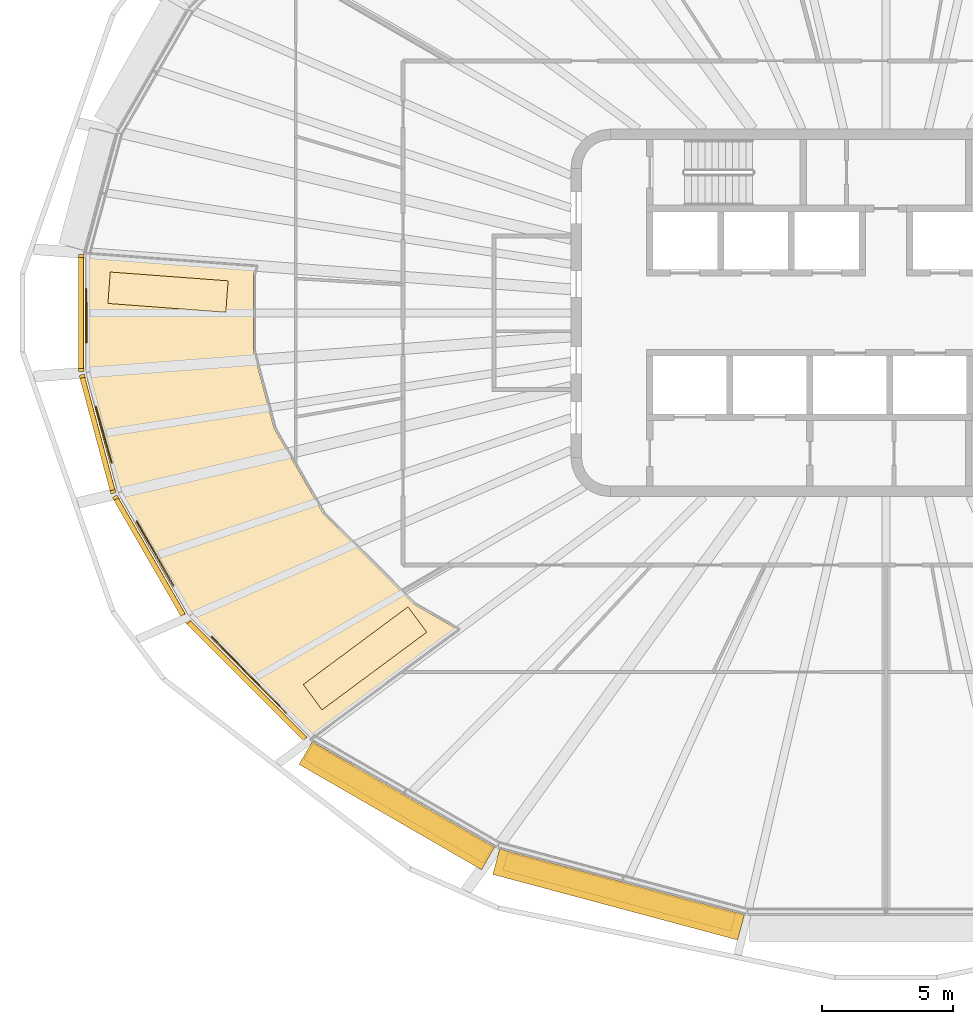
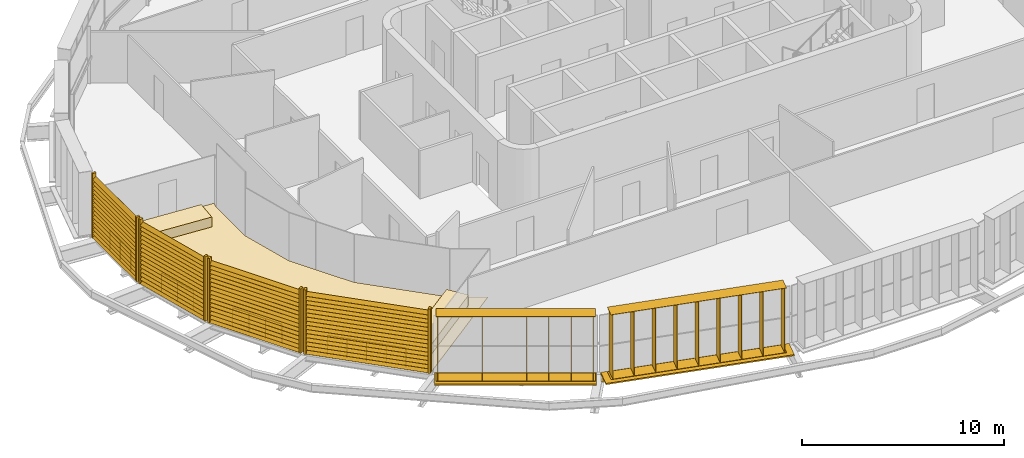
# One storey, part 16 of 20: 8 shading devices, 4 railings, 3 coverings.
"""IFC4 building model written with IfcOpenShell, lengths in metres."""

from ifc_helpers import new_model, si_unit, direction, frame, origin, origin_2d, place, context, subcontext, project, spatial, polyline, rectangle, circle, outline, extrude, material, layer, layer_set, type_object, element, save


model = new_model("IFC4")

# Units and contexts
model_context = context("Model", 3, precision=1e-05, world=origin(), true_north=direction((0.0, 1.0)))
body_context = subcontext(model_context, "Body", "Model", "MODEL_VIEW")
ifc_project = project(units=[si_unit("LENGTHUNIT", "METRE"), si_unit("AREAUNIT", "SQUARE_METRE"), si_unit("VOLUMEUNIT", "CUBIC_METRE"), si_unit("PLANEANGLEUNIT", "RADIAN"), si_unit("MASSUNIT", "GRAM", prefix="KILO")], contexts=[model_context])

# Site, building, storey
site_placement = place(None, origin())
site = spatial("IfcSite", under=ifc_project, at=site_placement, CompositionType="ELEMENT")
building_placement = place(site_placement, origin())
building = spatial("IfcBuilding", under=site, at=building_placement, Name="Sahrelin Media Tower", CompositionType="ELEMENT")
storey_placement = place(building_placement, frame((0.0, 0.0, 221.60009765625)))
storey = spatial("IfcBuildingStorey", under=building, at=storey_placement, Name="L47", CompositionType="ELEMENT", Elevation=221.60009765625)

# Shading devices
ifc_material_1 = material(Name="Champagne anodised aluminium 6063-T6", Category="aluminium")
shading_device_type_1 = type_object("IfcShadingDeviceType", Name="Fin cassette", PredefinedType="USERDEFINED", material=ifc_material_1)
placement_1 = place(storey_placement, frame((-18.36962890625, -18.319091796875, 0.0), z_axis=(0.0, 0.0, 1.0), x_axis=(-0.866019052629, 0.500011000363, 0.0)))
element("IfcShadingDevice", 1, at=placement_1, inside=storey, type_object=shading_device_type_1, Name="L47:FIN:L47-16", ObjectType="FIN", PredefinedType="USERDEFINED", context=body_context, shape_type="SweptSolid", body=[
    extrude(rectangle(XDim=7.89990234375, YDim=0.699951171875, at=origin_2d()), frame((0.0, 0.419921875, 0.0)), (0.0, 0.0, 1.0), 0.02001953125),
    extrude(rectangle(XDim=7.89990234375, YDim=0.699951171875, at=origin_2d()), frame((0.0, 0.419921875, 3.89990234375)), (0.0, 0.0, 1.0), 0.02001953125),
    extrude(rectangle(XDim=0.02001953125, YDim=0.699951171875, at=origin_2d()), frame((-3.85009765625, 0.419921875, 0.010009765625), z_axis=(0.0, 0.0, 1.0), x_axis=(1.0, 0.0, 0.0)), (0.0, 0.0, 1.0), 3.89990234375),
    extrude(rectangle(XDim=0.02001953125, YDim=0.699951171875, at=origin_2d()), frame((-2.75, 0.419921875, 0.010009765625), z_axis=(0.0, 0.0, 1.0), x_axis=(1.0, 0.0, 0.0)), (0.0, 0.0, 1.0), 3.89990234375),
    extrude(rectangle(XDim=0.02001953125, YDim=0.699951171875, at=origin_2d()), frame((-1.64990234375, 0.419921875, 0.010009765625), z_axis=(0.0, 0.0, 1.0), x_axis=(1.0, 0.0, 0.0)), (0.0, 0.0, 1.0), 3.89990234375),
    extrude(rectangle(XDim=0.02001953125, YDim=0.699951171875, at=origin_2d()), frame((-0.550048828125, 0.419921875, 0.010009765625), z_axis=(0.0, 0.0, 1.0), x_axis=(1.0, 0.0, 0.0)), (0.0, 0.0, 1.0), 3.89990234375),
    extrude(rectangle(XDim=0.02001953125, YDim=0.699951171875, at=origin_2d()), frame((0.550048828125, 0.419921875, 0.010009765625), z_axis=(0.0, 0.0, 1.0), x_axis=(1.0, 0.0, 0.0)), (0.0, 0.0, 1.0), 3.89990234375),
    extrude(rectangle(XDim=0.02001953125, YDim=0.699951171875, at=origin_2d()), frame((1.64990234375, 0.419921875, 0.010009765625), z_axis=(0.0, 0.0, 1.0), x_axis=(1.0, 0.0, 0.0)), (0.0, 0.0, 1.0), 3.89990234375),
    extrude(rectangle(XDim=0.02001953125, YDim=0.699951171875, at=origin_2d()), frame((2.75, 0.419921875, 0.010009765625), z_axis=(0.0, 0.0, 1.0), x_axis=(1.0, 0.0, 0.0)), (0.0, 0.0, 1.0), 3.89990234375),
    extrude(rectangle(XDim=0.02001953125, YDim=0.699951171875, at=origin_2d()), frame((3.85009765625, 0.419921875, 0.010009765625), z_axis=(0.0, 0.0, 1.0), x_axis=(1.0, 0.0, 0.0)), (0.0, 0.0, 1.0), 3.89990234375),
])
placement_2 = place(storey_placement, frame((-10.04931640625, -21.650390625, 0.0), z_axis=(0.0, 0.0, 1.0), x_axis=(-0.965928857556, 0.258807731996, 0.0)))
element("IfcShadingDevice", 2, at=placement_2, inside=storey, type_object=shading_device_type_1, Name="L47:FIN:L47-17", ObjectType="FIN", PredefinedType="USERDEFINED", context=body_context, shape_type="SweptSolid", body=[
    extrude(rectangle(XDim=9.0, YDim=0.699951171875, at=origin_2d()), frame((0.0, 0.419921875, 0.0)), (0.0, 0.0, 1.0), 0.02001953125),
    extrude(rectangle(XDim=9.0, YDim=0.699951171875, at=origin_2d()), frame((0.0, 0.419921875, 3.89990234375)), (0.0, 0.0, 1.0), 0.02001953125),
    extrude(rectangle(XDim=0.02001953125, YDim=0.699951171875, at=origin_2d()), frame((-4.39990234375, 0.419921875, 0.010009765625), z_axis=(0.0, 0.0, 1.0), x_axis=(1.0, 0.0, 0.0)), (0.0, 0.0, 1.0), 3.89990234375),
    extrude(rectangle(XDim=0.02001953125, YDim=0.699951171875, at=origin_2d()), frame((-3.300048828125, 0.419921875, 0.010009765625), z_axis=(0.0, 0.0, 1.0), x_axis=(1.0, 0.0, 0.0)), (0.0, 0.0, 1.0), 3.89990234375),
    extrude(rectangle(XDim=0.02001953125, YDim=0.699951171875, at=origin_2d()), frame((-2.199951171875, 0.419921875, 0.010009765625), z_axis=(0.0, 0.0, 1.0), x_axis=(1.0, 0.0, 0.0)), (0.0, 0.0, 1.0), 3.89990234375),
    extrude(rectangle(XDim=0.02001953125, YDim=0.699951171875, at=origin_2d()), frame((-1.10009765625, 0.419921875, 0.010009765625), z_axis=(0.0, 0.0, 1.0), x_axis=(1.0, 0.0, 0.0)), (0.0, 0.0, 1.0), 3.89990234375),
    extrude(rectangle(XDim=0.02001953125, YDim=0.699951171875, at=origin_2d()), frame((0.0, 0.419921875, 0.010009765625), z_axis=(0.0, 0.0, 1.0), x_axis=(1.0, 0.0, 0.0)), (0.0, 0.0, 1.0), 3.89990234375),
    extrude(rectangle(XDim=0.02001953125, YDim=0.699951171875, at=origin_2d()), frame((1.10009765625, 0.419921875, 0.010009765625), z_axis=(0.0, 0.0, 1.0), x_axis=(1.0, 0.0, 0.0)), (0.0, 0.0, 1.0), 3.89990234375),
    extrude(rectangle(XDim=0.02001953125, YDim=0.699951171875, at=origin_2d()), frame((2.199951171875, 0.419921875, 0.010009765625), z_axis=(0.0, 0.0, 1.0), x_axis=(1.0, 0.0, 0.0)), (0.0, 0.0, 1.0), 3.89990234375),
    extrude(rectangle(XDim=0.02001953125, YDim=0.699951171875, at=origin_2d()), frame((3.300048828125, 0.419921875, 0.010009765625), z_axis=(0.0, 0.0, 1.0), x_axis=(1.0, 0.0, 0.0)), (0.0, 0.0, 1.0), 3.89990234375),
    extrude(rectangle(XDim=0.02001953125, YDim=0.699951171875, at=origin_2d()), frame((4.39990234375, 0.419921875, 0.010009765625), z_axis=(0.0, 0.0, 1.0), x_axis=(1.0, 0.0, 0.0)), (0.0, 0.0, 1.0), 3.89990234375),
])

# Covering
ifc_material_2 = material(Name="Stone paving", Category="masonry")
ifc_layer = layer(ifc_material_2, 0.0400390625)
ifc_layer_set = layer_set([ifc_layer], Name="Garden paving")
covering_type_1 = type_object("IfcCoveringType", Name="Garden paving", PredefinedType="FLOORING", material=ifc_layer_set)
covering_1_placement = place(storey_placement, origin())
element("IfcCovering", 3, at=covering_1_placement, inside=storey, type_object=covering_type_1, Name="Garden paving G4", PredefinedType="FLOORING", context=body_context, shape_type="SweptSolid", body=[
    extrude(outline(polyline([(-29.26611328125, -6.873779296875), (-30.498291015625, -2.275634765625), (-30.498291015625, 2.228271484375), (-24.014892578125, 1.743896484375), (-24.09814453125, 1.43310546875), (-24.09814453125, -1.43310546875), (-23.30224609375, -4.403564453125), (-21.435546875, -7.63671875), (-17.970458984375, -11.101806640625), (-16.3310546875, -12.048095703125), (-21.92578125, -16.197021484375), (-26.556884765625, -11.56640625), (-29.26611328125, -6.873779296875)])), origin(), (0.0, 0.0, 1.0), 0.039794921875),
])

# Shading devices
shading_device_type_2 = type_object("IfcShadingDeviceType", Name="Garden screen", PredefinedType="USERDEFINED", material=ifc_material_1)
shading_device_3_placement = place(storey_placement, frame((-30.548095703125, 0.0, 0.0), z_axis=(0.0, 0.0, 1.0), x_axis=(0.0, 1.0, 0.0)))
element("IfcShadingDevice", 4, at=shading_device_3_placement, inside=storey, type_object=shading_device_type_2, Name="L47:SCREEN:L47-12", ObjectType="SCREEN", PredefinedType="USERDEFINED", context=body_context, shape_type="SweptSolid", body=[
    extrude(rectangle(XDim=0.1201171875, YDim=0.199951171875, at=origin_2d()), frame((2.172119140625, 0.10009765625, 0.050048828125), z_axis=(0.0, 0.0, 1.0), x_axis=(1.0, 0.0, 0.0)), (0.0, 0.0, 1.0), 3.89990234375),
    extrude(rectangle(XDim=0.1201171875, YDim=0.199951171875, at=origin_2d()), frame((-2.172119140625, 0.10009765625, 0.050048828125), z_axis=(0.0, 0.0, 1.0), x_axis=(1.0, 0.0, 0.0)), (0.0, 0.0, 1.0), 3.89990234375),
    extrude(rectangle(XDim=0.25, YDim=0.02001953125, at=origin_2d()), frame((2.1123046875, 0.10009765625, 0.14990234375), z_axis=(-1.0, 0.0, 0.0), x_axis=(0.0, -0.766044443119, 0.642787609687)), (0.0, 0.0, 1.0), 4.224609375),
    extrude(rectangle(XDim=0.25, YDim=0.02001953125, at=origin_2d()), frame((2.1123046875, 0.10009765625, 0.39990234375), z_axis=(-1.0, 0.0, 0.0), x_axis=(0.0, -0.766044443119, 0.642787609687)), (0.0, 0.0, 1.0), 4.224609375),
    extrude(rectangle(XDim=0.25, YDim=0.02001953125, at=origin_2d()), frame((2.1123046875, 0.10009765625, 0.64990234375), z_axis=(-1.0, 0.0, 0.0), x_axis=(0.0, -0.766044443119, 0.642787609687)), (0.0, 0.0, 1.0), 4.224609375),
    extrude(rectangle(XDim=0.25, YDim=0.02001953125, at=origin_2d()), frame((2.1123046875, 0.10009765625, 0.89990234375), z_axis=(-1.0, 0.0, 0.0), x_axis=(0.0, -0.766044443119, 0.642787609687)), (0.0, 0.0, 1.0), 4.224609375),
    extrude(rectangle(XDim=0.25, YDim=0.02001953125, at=origin_2d()), frame((2.1123046875, 0.10009765625, 1.14990234375), z_axis=(-1.0, 0.0, 0.0), x_axis=(0.0, -0.766044443119, 0.642787609687)), (0.0, 0.0, 1.0), 4.224609375),
    extrude(rectangle(XDim=0.25, YDim=0.02001953125, at=origin_2d()), frame((2.1123046875, 0.10009765625, 1.39990234375), z_axis=(-1.0, 0.0, 0.0), x_axis=(0.0, -0.766044443119, 0.642787609687)), (0.0, 0.0, 1.0), 4.224609375),
    extrude(rectangle(XDim=0.25, YDim=0.02001953125, at=origin_2d()), frame((2.1123046875, 0.10009765625, 1.64990234375), z_axis=(-1.0, 0.0, 0.0), x_axis=(0.0, -0.766044443119, 0.642787609687)), (0.0, 0.0, 1.0), 4.224609375),
    extrude(rectangle(XDim=0.25, YDim=0.02001953125, at=origin_2d()), frame((2.1123046875, 0.10009765625, 1.89990234375), z_axis=(-1.0, 0.0, 0.0), x_axis=(0.0, -0.766044443119, 0.642787609687)), (0.0, 0.0, 1.0), 4.224609375),
    extrude(rectangle(XDim=0.25, YDim=0.02001953125, at=origin_2d()), frame((2.1123046875, 0.10009765625, 2.14990234375), z_axis=(-1.0, 0.0, 0.0), x_axis=(0.0, -0.766044443119, 0.642787609687)), (0.0, 0.0, 1.0), 4.224609375),
    extrude(rectangle(XDim=0.25, YDim=0.02001953125, at=origin_2d()), frame((2.1123046875, 0.10009765625, 2.39990234375), z_axis=(-1.0, 0.0, 0.0), x_axis=(0.0, -0.766044443119, 0.642787609687)), (0.0, 0.0, 1.0), 4.224609375),
    extrude(rectangle(XDim=0.25, YDim=0.02001953125, at=origin_2d()), frame((2.1123046875, 0.10009765625, 2.64990234375), z_axis=(-1.0, 0.0, 0.0), x_axis=(0.0, -0.766044443119, 0.642787609687)), (0.0, 0.0, 1.0), 4.224609375),
    extrude(rectangle(XDim=0.25, YDim=0.02001953125, at=origin_2d()), frame((2.1123046875, 0.10009765625, 2.89990234375), z_axis=(-1.0, 0.0, 0.0), x_axis=(0.0, -0.766044443119, 0.642787609687)), (0.0, 0.0, 1.0), 4.224609375),
    extrude(rectangle(XDim=0.25, YDim=0.02001953125, at=origin_2d()), frame((2.1123046875, 0.10009765625, 3.14990234375), z_axis=(-1.0, 0.0, 0.0), x_axis=(0.0, -0.766044443119, 0.642787609687)), (0.0, 0.0, 1.0), 4.224609375),
    extrude(rectangle(XDim=0.25, YDim=0.02001953125, at=origin_2d()), frame((2.1123046875, 0.10009765625, 3.39990234375), z_axis=(-1.0, 0.0, 0.0), x_axis=(0.0, -0.766044443119, 0.642787609687)), (0.0, 0.0, 1.0), 4.224609375),
    extrude(rectangle(XDim=0.25, YDim=0.02001953125, at=origin_2d()), frame((2.1123046875, 0.10009765625, 3.64990234375), z_axis=(-1.0, 0.0, 0.0), x_axis=(0.0, -0.766044443119, 0.642787609687)), (0.0, 0.0, 1.0), 4.224609375),
])
shading_device_4_placement = place(storey_placement, frame((-29.930419921875, -4.587646484375, 0.0), z_axis=(0.0, 0.0, 1.0), x_axis=(-0.258807731996, 0.965928857556, 0.0)))
element("IfcShadingDevice", 5, at=shading_device_4_placement, inside=storey, type_object=shading_device_type_2, Name="L47:SCREEN:L47-13", ObjectType="SCREEN", PredefinedType="USERDEFINED", context=body_context, shape_type="SweptSolid", body=[
    extrude(rectangle(XDim=0.1201171875, YDim=0.199951171875, at=origin_2d()), frame((2.27685546875, 0.10009765625, 0.050048828125), z_axis=(0.0, 0.0, 1.0), x_axis=(1.0, 0.0, 0.0)), (0.0, 0.0, 1.0), 3.89990234375),
    extrude(rectangle(XDim=0.1201171875, YDim=0.199951171875, at=origin_2d()), frame((-2.27685546875, 0.10009765625, 0.050048828125), z_axis=(0.0, 0.0, 1.0), x_axis=(1.0, 0.0, 0.0)), (0.0, 0.0, 1.0), 3.89990234375),
    extrude(rectangle(XDim=0.25, YDim=0.02001953125, at=origin_2d()), frame((2.216796875, 0.10009765625, 0.14990234375), z_axis=(-1.0, 0.0, 0.0), x_axis=(0.0, -0.766044443119, 0.642787609687)), (0.0, 0.0, 1.0), 4.43359375),
    extrude(rectangle(XDim=0.25, YDim=0.02001953125, at=origin_2d()), frame((2.216796875, 0.10009765625, 0.39990234375), z_axis=(-1.0, 0.0, 0.0), x_axis=(0.0, -0.766044443119, 0.642787609687)), (0.0, 0.0, 1.0), 4.43359375),
    extrude(rectangle(XDim=0.25, YDim=0.02001953125, at=origin_2d()), frame((2.216796875, 0.10009765625, 0.64990234375), z_axis=(-1.0, 0.0, 0.0), x_axis=(0.0, -0.766044443119, 0.642787609687)), (0.0, 0.0, 1.0), 4.43359375),
    extrude(rectangle(XDim=0.25, YDim=0.02001953125, at=origin_2d()), frame((2.216796875, 0.10009765625, 0.89990234375), z_axis=(-1.0, 0.0, 0.0), x_axis=(0.0, -0.766044443119, 0.642787609687)), (0.0, 0.0, 1.0), 4.43359375),
    extrude(rectangle(XDim=0.25, YDim=0.02001953125, at=origin_2d()), frame((2.216796875, 0.10009765625, 1.14990234375), z_axis=(-1.0, 0.0, 0.0), x_axis=(0.0, -0.766044443119, 0.642787609687)), (0.0, 0.0, 1.0), 4.43359375),
    extrude(rectangle(XDim=0.25, YDim=0.02001953125, at=origin_2d()), frame((2.216796875, 0.10009765625, 1.39990234375), z_axis=(-1.0, 0.0, 0.0), x_axis=(0.0, -0.766044443119, 0.642787609687)), (0.0, 0.0, 1.0), 4.43359375),
    extrude(rectangle(XDim=0.25, YDim=0.02001953125, at=origin_2d()), frame((2.216796875, 0.10009765625, 1.64990234375), z_axis=(-1.0, 0.0, 0.0), x_axis=(0.0, -0.766044443119, 0.642787609687)), (0.0, 0.0, 1.0), 4.43359375),
    extrude(rectangle(XDim=0.25, YDim=0.02001953125, at=origin_2d()), frame((2.216796875, 0.10009765625, 1.89990234375), z_axis=(-1.0, 0.0, 0.0), x_axis=(0.0, -0.766044443119, 0.642787609687)), (0.0, 0.0, 1.0), 4.43359375),
    extrude(rectangle(XDim=0.25, YDim=0.02001953125, at=origin_2d()), frame((2.216796875, 0.10009765625, 2.14990234375), z_axis=(-1.0, 0.0, 0.0), x_axis=(0.0, -0.766044443119, 0.642787609687)), (0.0, 0.0, 1.0), 4.43359375),
    extrude(rectangle(XDim=0.25, YDim=0.02001953125, at=origin_2d()), frame((2.216796875, 0.10009765625, 2.39990234375), z_axis=(-1.0, 0.0, 0.0), x_axis=(0.0, -0.766044443119, 0.642787609687)), (0.0, 0.0, 1.0), 4.43359375),
    extrude(rectangle(XDim=0.25, YDim=0.02001953125, at=origin_2d()), frame((2.216796875, 0.10009765625, 2.64990234375), z_axis=(-1.0, 0.0, 0.0), x_axis=(0.0, -0.766044443119, 0.642787609687)), (0.0, 0.0, 1.0), 4.43359375),
    extrude(rectangle(XDim=0.25, YDim=0.02001953125, at=origin_2d()), frame((2.216796875, 0.10009765625, 2.89990234375), z_axis=(-1.0, 0.0, 0.0), x_axis=(0.0, -0.766044443119, 0.642787609687)), (0.0, 0.0, 1.0), 4.43359375),
    extrude(rectangle(XDim=0.25, YDim=0.02001953125, at=origin_2d()), frame((2.216796875, 0.10009765625, 3.14990234375), z_axis=(-1.0, 0.0, 0.0), x_axis=(0.0, -0.766044443119, 0.642787609687)), (0.0, 0.0, 1.0), 4.43359375),
    extrude(rectangle(XDim=0.25, YDim=0.02001953125, at=origin_2d()), frame((2.216796875, 0.10009765625, 3.39990234375), z_axis=(-1.0, 0.0, 0.0), x_axis=(0.0, -0.766044443119, 0.642787609687)), (0.0, 0.0, 1.0), 4.43359375),
    extrude(rectangle(XDim=0.25, YDim=0.02001953125, at=origin_2d()), frame((2.216796875, 0.10009765625, 3.64990234375), z_axis=(-1.0, 0.0, 0.0), x_axis=(0.0, -0.766044443119, 0.642787609687)), (0.0, 0.0, 1.0), 4.43359375),
])
shading_device_5_placement = place(storey_placement, frame((-27.954833984375, -9.2451171875, 0.0), z_axis=(0.0, 0.0, 1.0), x_axis=(-0.500011000363, 0.866019052629, 0.0)))
element("IfcShadingDevice", 6, at=shading_device_5_placement, inside=storey, type_object=shading_device_type_2, Name="L47:SCREEN:L47-14", ObjectType="SCREEN", PredefinedType="USERDEFINED", context=body_context, shape_type="SweptSolid", body=[
    extrude(rectangle(XDim=0.1201171875, YDim=0.199951171875, at=origin_2d()), frame((2.605712890625, 0.10009765625, 0.050048828125), z_axis=(0.0, 0.0, 1.0), x_axis=(1.0, 0.0, 0.0)), (0.0, 0.0, 1.0), 3.89990234375),
    extrude(rectangle(XDim=0.1201171875, YDim=0.199951171875, at=origin_2d()), frame((-2.605712890625, 0.10009765625, 0.050048828125), z_axis=(0.0, 0.0, 1.0), x_axis=(1.0, 0.0, 0.0)), (0.0, 0.0, 1.0), 3.89990234375),
    extrude(rectangle(XDim=0.25, YDim=0.02001953125, at=origin_2d()), frame((2.5458984375, 0.10009765625, 0.14990234375), z_axis=(-1.0, 0.0, 0.0), x_axis=(0.0, -0.766044443119, 0.642787609687)), (0.0, 0.0, 1.0), 5.091796875),
    extrude(rectangle(XDim=0.25, YDim=0.02001953125, at=origin_2d()), frame((2.5458984375, 0.10009765625, 0.39990234375), z_axis=(-1.0, 0.0, 0.0), x_axis=(0.0, -0.766044443119, 0.642787609687)), (0.0, 0.0, 1.0), 5.091796875),
    extrude(rectangle(XDim=0.25, YDim=0.02001953125, at=origin_2d()), frame((2.5458984375, 0.10009765625, 0.64990234375), z_axis=(-1.0, 0.0, 0.0), x_axis=(0.0, -0.766044443119, 0.642787609687)), (0.0, 0.0, 1.0), 5.091796875),
    extrude(rectangle(XDim=0.25, YDim=0.02001953125, at=origin_2d()), frame((2.5458984375, 0.10009765625, 0.89990234375), z_axis=(-1.0, 0.0, 0.0), x_axis=(0.0, -0.766044443119, 0.642787609687)), (0.0, 0.0, 1.0), 5.091796875),
    extrude(rectangle(XDim=0.25, YDim=0.02001953125, at=origin_2d()), frame((2.5458984375, 0.10009765625, 1.14990234375), z_axis=(-1.0, 0.0, 0.0), x_axis=(0.0, -0.766044443119, 0.642787609687)), (0.0, 0.0, 1.0), 5.091796875),
    extrude(rectangle(XDim=0.25, YDim=0.02001953125, at=origin_2d()), frame((2.5458984375, 0.10009765625, 1.39990234375), z_axis=(-1.0, 0.0, 0.0), x_axis=(0.0, -0.766044443119, 0.642787609687)), (0.0, 0.0, 1.0), 5.091796875),
    extrude(rectangle(XDim=0.25, YDim=0.02001953125, at=origin_2d()), frame((2.5458984375, 0.10009765625, 1.64990234375), z_axis=(-1.0, 0.0, 0.0), x_axis=(0.0, -0.766044443119, 0.642787609687)), (0.0, 0.0, 1.0), 5.091796875),
    extrude(rectangle(XDim=0.25, YDim=0.02001953125, at=origin_2d()), frame((2.5458984375, 0.10009765625, 1.89990234375), z_axis=(-1.0, 0.0, 0.0), x_axis=(0.0, -0.766044443119, 0.642787609687)), (0.0, 0.0, 1.0), 5.091796875),
    extrude(rectangle(XDim=0.25, YDim=0.02001953125, at=origin_2d()), frame((2.5458984375, 0.10009765625, 2.14990234375), z_axis=(-1.0, 0.0, 0.0), x_axis=(0.0, -0.766044443119, 0.642787609687)), (0.0, 0.0, 1.0), 5.091796875),
    extrude(rectangle(XDim=0.25, YDim=0.02001953125, at=origin_2d()), frame((2.5458984375, 0.10009765625, 2.39990234375), z_axis=(-1.0, 0.0, 0.0), x_axis=(0.0, -0.766044443119, 0.642787609687)), (0.0, 0.0, 1.0), 5.091796875),
    extrude(rectangle(XDim=0.25, YDim=0.02001953125, at=origin_2d()), frame((2.5458984375, 0.10009765625, 2.64990234375), z_axis=(-1.0, 0.0, 0.0), x_axis=(0.0, -0.766044443119, 0.642787609687)), (0.0, 0.0, 1.0), 5.091796875),
    extrude(rectangle(XDim=0.25, YDim=0.02001953125, at=origin_2d()), frame((2.5458984375, 0.10009765625, 2.89990234375), z_axis=(-1.0, 0.0, 0.0), x_axis=(0.0, -0.766044443119, 0.642787609687)), (0.0, 0.0, 1.0), 5.091796875),
    extrude(rectangle(XDim=0.25, YDim=0.02001953125, at=origin_2d()), frame((2.5458984375, 0.10009765625, 3.14990234375), z_axis=(-1.0, 0.0, 0.0), x_axis=(0.0, -0.766044443119, 0.642787609687)), (0.0, 0.0, 1.0), 5.091796875),
    extrude(rectangle(XDim=0.25, YDim=0.02001953125, at=origin_2d()), frame((2.5458984375, 0.10009765625, 3.39990234375), z_axis=(-1.0, 0.0, 0.0), x_axis=(0.0, -0.766044443119, 0.642787609687)), (0.0, 0.0, 1.0), 5.091796875),
    extrude(rectangle(XDim=0.25, YDim=0.02001953125, at=origin_2d()), frame((2.5458984375, 0.10009765625, 3.64990234375), z_axis=(-1.0, 0.0, 0.0), x_axis=(0.0, -0.766044443119, 0.642787609687)), (0.0, 0.0, 1.0), 5.091796875),
])
shading_device_6_placement = place(storey_placement, frame((-24.263916015625, -13.929931640625, 0.0), z_axis=(0.0, 0.0, 1.0), x_axis=(-0.707106781187, 0.707106781187, 0.0)))
element("IfcShadingDevice", 7, at=shading_device_6_placement, inside=storey, type_object=shading_device_type_2, Name="L47:SCREEN:L47-15", ObjectType="SCREEN", PredefinedType="USERDEFINED", context=body_context, shape_type="SweptSolid", body=[
    extrude(rectangle(XDim=0.1201171875, YDim=0.199951171875, at=origin_2d()), frame((3.189453125, 0.10009765625, 0.050048828125), z_axis=(0.0, 0.0, 1.0), x_axis=(1.0, 0.0, 0.0)), (0.0, 0.0, 1.0), 3.89990234375),
    extrude(rectangle(XDim=0.1201171875, YDim=0.199951171875, at=origin_2d()), frame((-3.189453125, 0.10009765625, 0.050048828125), z_axis=(0.0, 0.0, 1.0), x_axis=(1.0, 0.0, 0.0)), (0.0, 0.0, 1.0), 3.89990234375),
    extrude(rectangle(XDim=0.25, YDim=0.02001953125, at=origin_2d()), frame((3.12939453125, 0.10009765625, 0.14990234375), z_axis=(-1.0, 0.0, 0.0), x_axis=(0.0, -0.766044443119, 0.642787609687)), (0.0, 0.0, 1.0), 6.2587890625),
    extrude(rectangle(XDim=0.25, YDim=0.02001953125, at=origin_2d()), frame((3.12939453125, 0.10009765625, 0.39990234375), z_axis=(-1.0, 0.0, 0.0), x_axis=(0.0, -0.766044443119, 0.642787609687)), (0.0, 0.0, 1.0), 6.2587890625),
    extrude(rectangle(XDim=0.25, YDim=0.02001953125, at=origin_2d()), frame((3.12939453125, 0.10009765625, 0.64990234375), z_axis=(-1.0, 0.0, 0.0), x_axis=(0.0, -0.766044443119, 0.642787609687)), (0.0, 0.0, 1.0), 6.2587890625),
    extrude(rectangle(XDim=0.25, YDim=0.02001953125, at=origin_2d()), frame((3.12939453125, 0.10009765625, 0.89990234375), z_axis=(-1.0, 0.0, 0.0), x_axis=(0.0, -0.766044443119, 0.642787609687)), (0.0, 0.0, 1.0), 6.2587890625),
    extrude(rectangle(XDim=0.25, YDim=0.02001953125, at=origin_2d()), frame((3.12939453125, 0.10009765625, 1.14990234375), z_axis=(-1.0, 0.0, 0.0), x_axis=(0.0, -0.766044443119, 0.642787609687)), (0.0, 0.0, 1.0), 6.2587890625),
    extrude(rectangle(XDim=0.25, YDim=0.02001953125, at=origin_2d()), frame((3.12939453125, 0.10009765625, 1.39990234375), z_axis=(-1.0, 0.0, 0.0), x_axis=(0.0, -0.766044443119, 0.642787609687)), (0.0, 0.0, 1.0), 6.2587890625),
    extrude(rectangle(XDim=0.25, YDim=0.02001953125, at=origin_2d()), frame((3.12939453125, 0.10009765625, 1.64990234375), z_axis=(-1.0, 0.0, 0.0), x_axis=(0.0, -0.766044443119, 0.642787609687)), (0.0, 0.0, 1.0), 6.2587890625),
    extrude(rectangle(XDim=0.25, YDim=0.02001953125, at=origin_2d()), frame((3.12939453125, 0.10009765625, 1.89990234375), z_axis=(-1.0, 0.0, 0.0), x_axis=(0.0, -0.766044443119, 0.642787609687)), (0.0, 0.0, 1.0), 6.2587890625),
    extrude(rectangle(XDim=0.25, YDim=0.02001953125, at=origin_2d()), frame((3.12939453125, 0.10009765625, 2.14990234375), z_axis=(-1.0, 0.0, 0.0), x_axis=(0.0, -0.766044443119, 0.642787609687)), (0.0, 0.0, 1.0), 6.2587890625),
    extrude(rectangle(XDim=0.25, YDim=0.02001953125, at=origin_2d()), frame((3.12939453125, 0.10009765625, 2.39990234375), z_axis=(-1.0, 0.0, 0.0), x_axis=(0.0, -0.766044443119, 0.642787609687)), (0.0, 0.0, 1.0), 6.2587890625),
    extrude(rectangle(XDim=0.25, YDim=0.02001953125, at=origin_2d()), frame((3.12939453125, 0.10009765625, 2.64990234375), z_axis=(-1.0, 0.0, 0.0), x_axis=(0.0, -0.766044443119, 0.642787609687)), (0.0, 0.0, 1.0), 6.2587890625),
    extrude(rectangle(XDim=0.25, YDim=0.02001953125, at=origin_2d()), frame((3.12939453125, 0.10009765625, 2.89990234375), z_axis=(-1.0, 0.0, 0.0), x_axis=(0.0, -0.766044443119, 0.642787609687)), (0.0, 0.0, 1.0), 6.2587890625),
    extrude(rectangle(XDim=0.25, YDim=0.02001953125, at=origin_2d()), frame((3.12939453125, 0.10009765625, 3.14990234375), z_axis=(-1.0, 0.0, 0.0), x_axis=(0.0, -0.766044443119, 0.642787609687)), (0.0, 0.0, 1.0), 6.2587890625),
    extrude(rectangle(XDim=0.25, YDim=0.02001953125, at=origin_2d()), frame((3.12939453125, 0.10009765625, 3.39990234375), z_axis=(-1.0, 0.0, 0.0), x_axis=(0.0, -0.766044443119, 0.642787609687)), (0.0, 0.0, 1.0), 6.2587890625),
    extrude(rectangle(XDim=0.25, YDim=0.02001953125, at=origin_2d()), frame((3.12939453125, 0.10009765625, 3.64990234375), z_axis=(-1.0, 0.0, 0.0), x_axis=(0.0, -0.766044443119, 0.642787609687)), (0.0, 0.0, 1.0), 6.2587890625),
])

# Railings
ifc_material_3 = material(Name="Stainless steel 316", Category="steel")
railing_type = type_object("IfcRailingType", Name="Sky garden guard", PredefinedType="GUARDRAIL", material=ifc_material_3)
railing_1_placement = place(storey_placement, frame((-30.45947265625, 0.9013671875, 0.0)))
element("IfcRailing", 8, at=railing_1_placement, inside=storey, type_object=railing_type, Name="Sky garden guard G4-1", PredefinedType="GUARDRAIL", context=body_context, shape_type="SweptSolid", body=[
    extrude(circle(Radius=0.02392578125, at=origin_2d()), frame((0.0, 0.0, 1.17578125), z_axis=(0.008418222445, -0.999964566138, 0.0), x_axis=(0.999964566138, 0.008418222445, 0.0)), (0.0, 0.0, 1.0), 2.030029296875),
    extrude(circle(Radius=0.02099609375, at=origin_2d()), origin(), (0.0, 0.0, 1.0), 1.15185546875),
    extrude(circle(Radius=0.02099609375, at=origin_2d()), frame((0.008544921875, -1.01513671875, 0.0)), (0.0, 0.0, 1.0), 1.15185546875),
    extrude(circle(Radius=0.02099609375, at=origin_2d()), frame((0.01708984375, -2.030029296875, 0.0)), (0.0, 0.0, 1.0), 1.15185546875),
])
railing_2_placement = place(storey_placement, frame((-30.095458984375, -3.572265625, 0.0)))
element("IfcRailing", 9, at=railing_2_placement, inside=storey, type_object=railing_type, Name="Sky garden guard G4-2", PredefinedType="GUARDRAIL", context=body_context, shape_type="SweptSolid", body=[
    extrude(circle(Radius=0.02392578125, at=origin_2d()), frame((0.0, 0.0, 1.17578125), z_axis=(0.271272647354, -0.962502545866, 0.0), x_axis=(0.962502545866, 0.271272647354, 0.0)), (0.0, 0.0, 1.0), 2.2265625),
    extrude(circle(Radius=0.02099609375, at=origin_2d()), origin(), (0.0, 0.0, 1.0), 1.15185546875),
    extrude(circle(Radius=0.02099609375, at=origin_2d()), frame((0.302001953125, -1.071533203125, 0.0)), (0.0, 0.0, 1.0), 1.15185546875),
    extrude(circle(Radius=0.02099609375, at=origin_2d()), frame((0.60400390625, -2.14306640625, 0.0)), (0.0, 0.0, 1.0), 1.15185546875),
])
railing_3_placement = place(storey_placement, frame((-28.541748046875, -7.9365234375, 0.0)))
element("IfcRailing", 10, at=railing_3_placement, inside=storey, type_object=railing_type, Name="Sky garden guard G4-3", PredefinedType="GUARDRAIL", context=body_context, shape_type="SweptSolid", body=[
    extrude(circle(Radius=0.02392578125, at=origin_2d()), frame((0.0, 0.0, 1.17578125), z_axis=(0.496344008837, -0.868125926863, 0.0), x_axis=(0.868125926863, 0.496344008837, 0.0)), (0.0, 0.0, 1.0), 2.8203125),
    extrude(circle(Radius=0.02099609375, at=origin_2d()), origin(), (0.0, 0.0, 1.0), 1.15185546875),
    extrude(circle(Radius=0.02099609375, at=origin_2d()), frame((0.466552734375, -0.816162109375, 0.0)), (0.0, 0.0, 1.0), 1.15185546875),
    extrude(circle(Radius=0.02099609375, at=origin_2d()), frame((0.933349609375, -1.63232421875, 0.0)), (0.0, 0.0, 1.0), 1.15185546875),
    extrude(circle(Radius=0.02099609375, at=origin_2d()), frame((1.39990234375, -2.448486328125, 0.0)), (0.0, 0.0, 1.0), 1.15185546875),
])
railing_4_placement = place(storey_placement, frame((-25.68212890625, -12.33984375, 0.0)))
element("IfcRailing", 11, at=railing_4_placement, inside=storey, type_object=railing_type, Name="Sky garden guard G4-4", PredefinedType="GUARDRAIL", context=body_context, shape_type="SweptSolid", body=[
    extrude(circle(Radius=0.02392578125, at=origin_2d()), frame((0.0, 0.0, 1.17578125), z_axis=(0.699725703909, -0.714411603551, 0.0), x_axis=(0.714411603551, 0.699725703909, 0.0)), (0.0, 0.0, 1.0), 4.03955078125),
    extrude(circle(Radius=0.02099609375, at=origin_2d()), origin(), (0.0, 0.0, 1.0), 1.15185546875),
    extrude(circle(Radius=0.02099609375, at=origin_2d()), frame((0.70654296875, -0.721435546875, 0.0)), (0.0, 0.0, 1.0), 1.15185546875),
    extrude(circle(Radius=0.02099609375, at=origin_2d()), frame((1.413330078125, -1.44287109375, 0.0)), (0.0, 0.0, 1.0), 1.15185546875),
    extrude(circle(Radius=0.02099609375, at=origin_2d()), frame((2.1201171875, -2.16455078125, 0.0)), (0.0, 0.0, 1.0), 1.15185546875),
    extrude(circle(Radius=0.02099609375, at=origin_2d()), frame((2.82666015625, -2.885986328125, 0.0)), (0.0, 0.0, 1.0), 1.15185546875),
])

# Coverings
ifc_material_4 = material(Name="Planting and soil")
covering_type_2 = type_object("IfcCoveringType", Name="Sky garden planter", PredefinedType="USERDEFINED", material=ifc_material_4)
covering_2_placement = place(storey_placement, frame((-19.84326171875, -13.15869140625, 0.039794921875), z_axis=(0.0, 0.0, 1.0), x_axis=(-0.803240800353, -0.595654443992, 0.0)))
element("IfcCovering", 12, at=covering_2_placement, inside=storey, type_object=covering_type_2, Name="Sky garden planter G4-1", ObjectType="PLANTER", PredefinedType="USERDEFINED", context=body_context, shape_type="SweptSolid", body=[
    extrude(rectangle(XDim=4.96533203125, YDim=1.199951171875, at=origin_2d()), origin(), (0.0, 0.0, 1.0), 0.60009765625),
])
covering_3_placement = place(storey_placement, frame((-27.345947265625, 0.789306640625, 0.039794921875), z_axis=(0.0, 0.0, 1.0), x_axis=(0.997220485737, -0.074507065617, 0.0)))
element("IfcCovering", 13, at=covering_3_placement, inside=storey, type_object=covering_type_2, Name="Sky garden planter G4-2", ObjectType="PLANTER", PredefinedType="USERDEFINED", context=body_context, shape_type="SweptSolid", body=[
    extrude(rectangle(XDim=4.50146484375, YDim=1.199951171875, at=origin_2d()), origin(), (0.0, 0.0, 1.0), 0.60009765625),
])

# Shading devices
shading_device_type_3 = type_object("IfcShadingDeviceType", Name="Sunshade band", PredefinedType="USERDEFINED", material=ifc_material_1)
element("IfcShadingDevice", 14, at=placement_1, inside=storey, type_object=shading_device_type_3, Name="L47:SUN:L47-16", ObjectType="SUNSHADE", PredefinedType="USERDEFINED", context=body_context, shape_type="SweptSolid", body=[
    extrude(rectangle(XDim=8.02392578125, YDim=0.050048828125, at=origin_2d()), frame((0.0, 0.044921875, -0.55126953125)), (0.0, 0.0, 1.0), 0.471435546875),
    extrude(rectangle(XDim=8.02392578125, YDim=1.0, at=origin_2d()), frame((0.0, 0.52001953125, -0.080078125)), (0.0, 0.0, 1.0), 0.080078125),
    extrude(rectangle(XDim=0.10009765625, YDim=0.074951171875, at=origin_2d()), frame((-3.912109375, -0.017578125, -0.47021484375)), (0.0, 0.0, 1.0), 0.300048828125),
    extrude(rectangle(XDim=0.10009765625, YDim=0.074951171875, at=origin_2d()), frame((-2.34716796875, -0.017578125, -0.47021484375)), (0.0, 0.0, 1.0), 0.300048828125),
    extrude(rectangle(XDim=0.10009765625, YDim=0.074951171875, at=origin_2d()), frame((-0.782470703125, -0.017578125, -0.47021484375)), (0.0, 0.0, 1.0), 0.300048828125),
    extrude(rectangle(XDim=0.10009765625, YDim=0.074951171875, at=origin_2d()), frame((0.782470703125, -0.017578125, -0.47021484375)), (0.0, 0.0, 1.0), 0.300048828125),
    extrude(rectangle(XDim=0.10009765625, YDim=0.074951171875, at=origin_2d()), frame((2.34716796875, -0.017578125, -0.47021484375)), (0.0, 0.0, 1.0), 0.300048828125),
    extrude(rectangle(XDim=0.10009765625, YDim=0.074951171875, at=origin_2d()), frame((3.912109375, -0.017578125, -0.47021484375)), (0.0, 0.0, 1.0), 0.300048828125),
])
element("IfcShadingDevice", 15, at=placement_2, inside=storey, type_object=shading_device_type_3, Name="L47:SUN:L47-17", ObjectType="SUNSHADE", PredefinedType="USERDEFINED", context=body_context, shape_type="SweptSolid", body=[
    extrude(rectangle(XDim=9.654541015625, YDim=0.050048828125, at=origin_2d()), frame((0.0, 0.044921875, -0.55126953125)), (0.0, 0.0, 1.0), 0.471435546875),
    extrude(rectangle(XDim=9.654541015625, YDim=1.0, at=origin_2d()), frame((0.0, 0.52001953125, -0.080078125)), (0.0, 0.0, 1.0), 0.080078125),
    extrude(rectangle(XDim=0.10009765625, YDim=0.074951171875, at=origin_2d()), frame((-4.727294921875, -0.017578125, -0.47021484375)), (0.0, 0.0, 1.0), 0.300048828125),
    extrude(rectangle(XDim=0.10009765625, YDim=0.074951171875, at=origin_2d()), frame((-2.83642578125, -0.017578125, -0.47021484375)), (0.0, 0.0, 1.0), 0.300048828125),
    extrude(rectangle(XDim=0.10009765625, YDim=0.074951171875, at=origin_2d()), frame((-0.945556640625, -0.017578125, -0.47021484375)), (0.0, 0.0, 1.0), 0.300048828125),
    extrude(rectangle(XDim=0.10009765625, YDim=0.074951171875, at=origin_2d()), frame((0.945556640625, -0.017578125, -0.47021484375)), (0.0, 0.0, 1.0), 0.300048828125),
    extrude(rectangle(XDim=0.10009765625, YDim=0.074951171875, at=origin_2d()), frame((2.83642578125, -0.017578125, -0.47021484375)), (0.0, 0.0, 1.0), 0.300048828125),
    extrude(rectangle(XDim=0.10009765625, YDim=0.074951171875, at=origin_2d()), frame((4.727294921875, -0.017578125, -0.47021484375)), (0.0, 0.0, 1.0), 0.300048828125),
])

save(model, "model.ifc")
